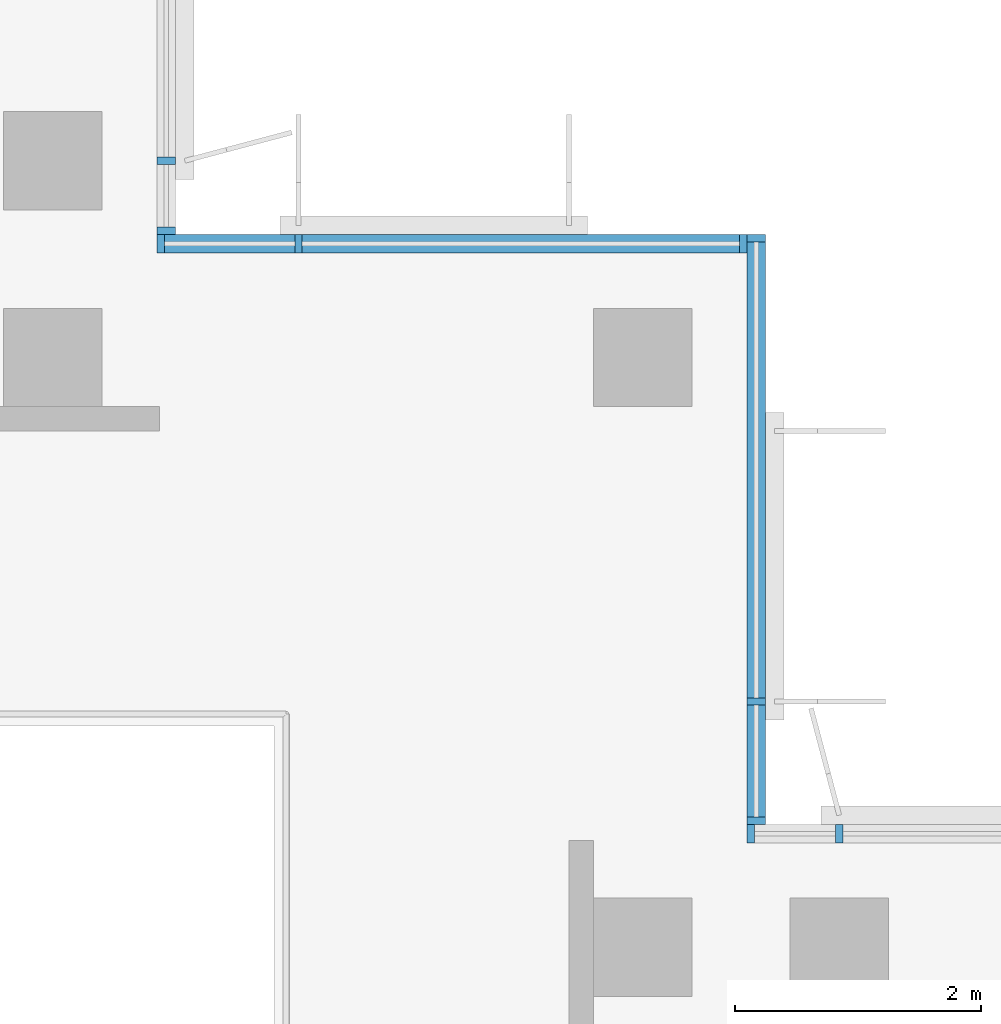
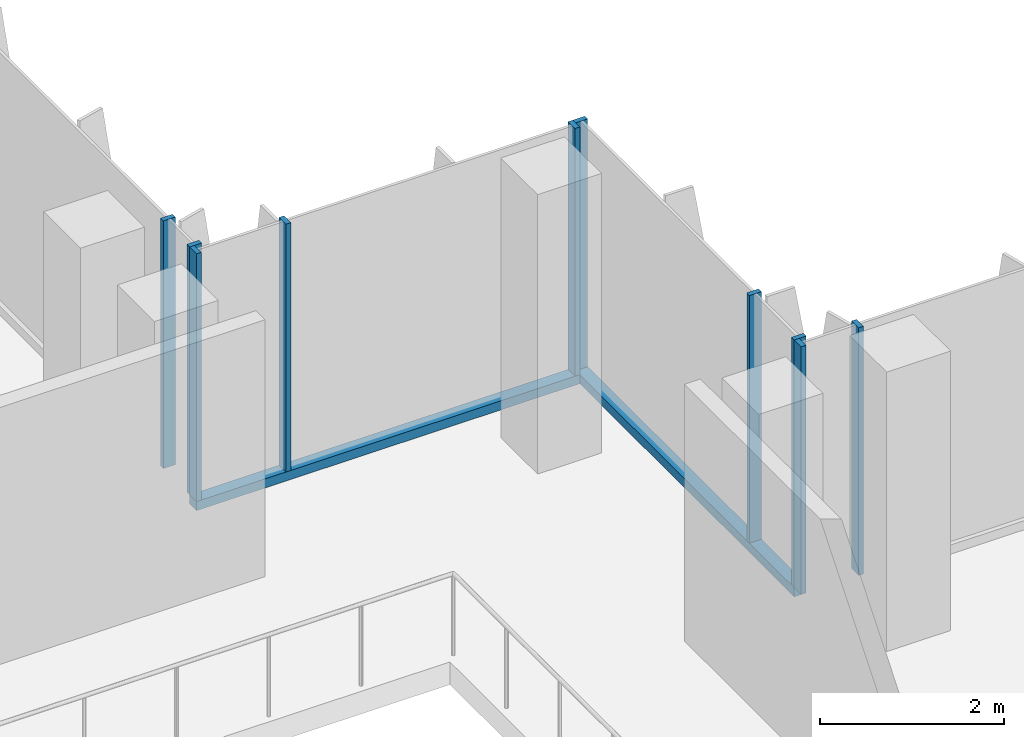
# One storey, part 2 of 17: 12 members, 4 elements without a shape of their own.
"""IFC4 building model written with IfcOpenShell, lengths in metres."""

from ifc_helpers import new_model, si_unit, direction, frame, origin, origin_2d, place, context, subcontext, project, spatial, rectangle, extrude, source, transform, mapped, material, material_profile, profile_set, type_object, element, aggregate, save


model = new_model("IFC4")

# Units and contexts
model_context = context("Model", 3, precision=1e-05, world=origin(), true_north=direction((0.0, 1.0)))
body_context = subcontext(model_context, "Body", "Model", "MODEL_VIEW")
ifc_project = project(units=[si_unit("LENGTHUNIT", "METRE"), si_unit("AREAUNIT", "SQUARE_METRE"), si_unit("VOLUMEUNIT", "CUBIC_METRE"), si_unit("PLANEANGLEUNIT", "RADIAN"), si_unit("MASSUNIT", "GRAM", prefix="KILO")], contexts=[model_context])

# Site, building, storey
site_placement = place(None, origin())
site = spatial("IfcSite", under=ifc_project, at=site_placement, CompositionType="ELEMENT")
building_placement = place(site_placement, origin())
building = spatial("IfcBuilding", under=site, at=building_placement, Name="Kemantara Hotel Tower", CompositionType="ELEMENT")
storey_placement = place(building_placement, frame((0.0, 0.0, 222.800048828125)))
storey = spatial("IfcBuildingStorey", under=building, at=storey_placement, Name="L55", CompositionType="ELEMENT", Elevation=222.800048828125)

# Curtain wall, member
ifc_material_1 = material(Name="Low-E tinted double insulated glass 36 mm", Category="glass")
curtain_wall_type = type_object("IfcCurtainWallType", Name="TOWER CURTAIN WALL, FRONT FACES", PredefinedType="USERDEFINED", material=ifc_material_1)
curtain_wall_1_placement = place(storey_placement, origin())
curtain_wall_1 = element("IfcCurtainWall", 1, at=curtain_wall_1_placement, inside=storey, type_object=curtain_wall_type, Name="CW4 L55 T4-R13-1", ObjectType="TOWER CURTAIN WALL, FRONT FACES", PredefinedType="USERDEFINED")
ifc_material_2 = material(Name="Aluminium 6063-T6 bronze anodised", Category="aluminium")
ifc_material_profile_1 = material_profile(ifc_material_2, rectangle(XDim=0.14990234375, YDim=0.1201171875, at=origin_2d()), Name="TOWER CURTAIN WALL, FRONT FACES TRANSOM")
ifc_profile_set_1 = profile_set([ifc_material_profile_1], Name="Aluminium 6063-T6 bronze anodised")
member_type_1 = type_object("IfcMemberType", Name="TOWER CURTAIN WALL, FRONT FACES TRANSOM", PredefinedType="USERDEFINED", material=ifc_profile_set_1)
member_1_placement = place(storey_placement, frame((26.72509765625, 22.0, 0.06005859375), z_axis=(0.0, 1.0, 0.0), x_axis=(-1.0, 0.0, 0.0)))
member_1 = element("IfcMember", 2, at=member_1_placement, type_object=member_type_1, Name="CW4 sill transom T4-R13-1", ObjectType="TRANSOM", PredefinedType="USERDEFINED", context=body_context, shape_type="SweptSolid", body=[
    extrude(rectangle(XDim=0.14990234375, YDim=0.1201171875, at=origin_2d()), origin(), (0.0, 0.0, 1.0), 4.800048828125),
])

curtain_wall_2_placement = place(storey_placement, origin())
curtain_wall_2 = element("IfcCurtainWall", 3, at=curtain_wall_2_placement, inside=storey, type_object=curtain_wall_type, Name="CW4 L55 T4-R14-1", ObjectType="TOWER CURTAIN WALL, FRONT FACES", PredefinedType="USERDEFINED")
member_2_placement = place(storey_placement, frame((26.64990234375, 26.72509765625, 0.06005859375), z_axis=(-1.0, 0.0, 0.0), x_axis=(0.0, -1.0, 0.0)))
member_2 = element("IfcMember", 4, at=member_2_placement, type_object=member_type_1, Name="CW4 sill transom T4-R14-1", ObjectType="TRANSOM", PredefinedType="USERDEFINED", context=body_context, shape_type="SweptSolid", body=[
    extrude(rectangle(XDim=0.14990234375, YDim=0.1201171875, at=origin_2d()), origin(), (0.0, 0.0, 1.0), 4.7998046875),
])

# Curtain wall, members
curtain_wall_3_placement = place(storey_placement, origin())
curtain_wall_3 = element("IfcCurtainWall", 5, at=curtain_wall_3_placement, inside=storey, type_object=curtain_wall_type, Name="CW4 L55 T4-R12-1", ObjectType="TOWER CURTAIN WALL, FRONT FACES", PredefinedType="USERDEFINED")
ifc_material_profile_2 = material_profile(ifc_material_2, rectangle(XDim=0.14990234375, YDim=0.06005859375, at=origin_2d()), Name="TOWER CURTAIN WALL, FRONT FACES MULLION")
ifc_profile_set_2 = profile_set([ifc_material_profile_2], Name="Aluminium 6063-T6 bronze anodised")
member_type_2 = type_object("IfcMemberType", Name="TOWER CURTAIN WALL, FRONT FACES MULLION", PredefinedType="MULLION", material=ifc_profile_set_2)
shared_shape = source(origin(), body_context, "Body", "SweptSolid", [
    extrude(rectangle(XDim=0.14990234375, YDim=0.06005859375, at=origin_2d()), origin(), (0.0, 0.0, 1.0), 3.280029296875),
])
member_3_placement = place(storey_placement, frame((27.39990234375, 21.925048828125, 0.119873046875), z_axis=(0.0, 0.0, 1.0), x_axis=(0.0, -1.0, 0.0)))
member_3 = element("IfcMember", 6, at=member_3_placement, type_object=member_type_2, Name="CW4 mullion T4-R12-1.5", PredefinedType="MULLION", context=body_context, shape_type="MappedRepresentation", body=[
    mapped(shared_shape, transform((0.0, 0.0, 0.0))),
])
member_4_placement = place(storey_placement, frame((26.679931640625, 21.925048828125, 0.119873046875), z_axis=(0.0, 0.0, 1.0), x_axis=(0.0, -1.0, 0.0)))
member_4 = element("IfcMember", 7, at=member_4_placement, type_object=member_type_2, Name="CW4 mullion T4-R12-1.6", PredefinedType="MULLION", context=body_context, shape_type="MappedRepresentation", body=[
    mapped(shared_shape, transform((0.0, 0.0, 0.0))),
])
aggregate(curtain_wall_3, [member_3, member_4])

# Member
member_5_placement = place(storey_placement, frame((26.72509765625, 22.030029296875, 0.119873046875), z_axis=(0.0, 0.0, 1.0), x_axis=(-1.0, 0.0, 0.0)))
member_5 = element("IfcMember", 8, at=member_5_placement, type_object=member_type_2, Name="CW4 mullion T4-R13-1.1", PredefinedType="MULLION", context=body_context, shape_type="MappedRepresentation", body=[
    mapped(shared_shape, transform((0.0, 0.0, 0.0))),
])

member_6_placement = place(storey_placement, frame((26.72509765625, 23.0, 0.119873046875), z_axis=(0.0, 0.0, 1.0), x_axis=(-1.0, 0.0, 0.0)))
member_6 = element("IfcMember", 9, at=member_6_placement, type_object=member_type_2, Name="CW4 mullion T4-R13-1.2", PredefinedType="MULLION", context=body_context, shape_type="MappedRepresentation", body=[
    mapped(shared_shape, transform((0.0, 0.0, 0.0))),
])

member_7_placement = place(storey_placement, frame((26.72509765625, 26.77001953125, 0.119873046875), z_axis=(0.0, 0.0, 1.0), x_axis=(-1.0, 0.0, 0.0)))
member_7 = element("IfcMember", 10, at=member_7_placement, type_object=member_type_2, Name="CW4 mullion T4-R13-1.3", PredefinedType="MULLION", context=body_context, shape_type="MappedRepresentation", body=[
    mapped(shared_shape, transform((0.0, 0.0, 0.0))),
])

aggregate(curtain_wall_1, [member_1, member_5, member_6, member_7])

member_8_placement = place(storey_placement, frame((26.6201171875, 26.72509765625, 0.119873046875), z_axis=(0.0, 0.0, 1.0), x_axis=(0.0, -1.0, 0.0)))
member_8 = element("IfcMember", 11, at=member_8_placement, type_object=member_type_2, Name="CW4 mullion T4-R14-1.1", PredefinedType="MULLION", context=body_context, shape_type="MappedRepresentation", body=[
    mapped(shared_shape, transform((0.0, 0.0, 0.0))),
])

member_9_placement = place(storey_placement, frame((23.0, 26.72509765625, 0.119873046875), z_axis=(0.0, 0.0, 1.0), x_axis=(0.0, -1.0, 0.0)))
member_9 = element("IfcMember", 12, at=member_9_placement, type_object=member_type_2, Name="CW4 mullion T4-R14-1.2", PredefinedType="MULLION", context=body_context, shape_type="MappedRepresentation", body=[
    mapped(shared_shape, transform((0.0, 0.0, 0.0))),
])

member_10_placement = place(storey_placement, frame((21.8798828125, 26.72509765625, 0.119873046875), z_axis=(0.0, 0.0, 1.0), x_axis=(0.0, -1.0, 0.0)))
member_10 = element("IfcMember", 13, at=member_10_placement, type_object=member_type_2, Name="CW4 mullion T4-R14-1.3", PredefinedType="MULLION", context=body_context, shape_type="MappedRepresentation", body=[
    mapped(shared_shape, transform((0.0, 0.0, 0.0))),
])

aggregate(curtain_wall_2, [member_2, member_8, member_9, member_10])

# Curtain wall, members
curtain_wall_4_placement = place(storey_placement, origin())
curtain_wall_4 = element("IfcCurtainWall", 14, at=curtain_wall_4_placement, inside=storey, type_object=curtain_wall_type, Name="CW4 L55 T4-R15-1", ObjectType="TOWER CURTAIN WALL, FRONT FACES", PredefinedType="USERDEFINED")
member_11_placement = place(storey_placement, frame((21.925048828125, 26.830078125, 0.119873046875), z_axis=(0.0, 0.0, 1.0), x_axis=(-1.0, 0.0, 0.0)))
member_11 = element("IfcMember", 15, at=member_11_placement, type_object=member_type_2, Name="CW4 mullion T4-R15-1.1", PredefinedType="MULLION", context=body_context, shape_type="MappedRepresentation", body=[
    mapped(shared_shape, transform((0.0, 0.0, 0.0))),
])
member_12_placement = place(storey_placement, frame((21.925048828125, 27.39990234375, 0.119873046875), z_axis=(0.0, 0.0, 1.0), x_axis=(-1.0, 0.0, 0.0)))
member_12 = element("IfcMember", 16, at=member_12_placement, type_object=member_type_2, Name="CW4 mullion T4-R15-1.2", PredefinedType="MULLION", context=body_context, shape_type="MappedRepresentation", body=[
    mapped(shared_shape, transform((0.0, 0.0, 0.0))),
])
aggregate(curtain_wall_4, [member_11, member_12])

save(model, "model.ifc")
